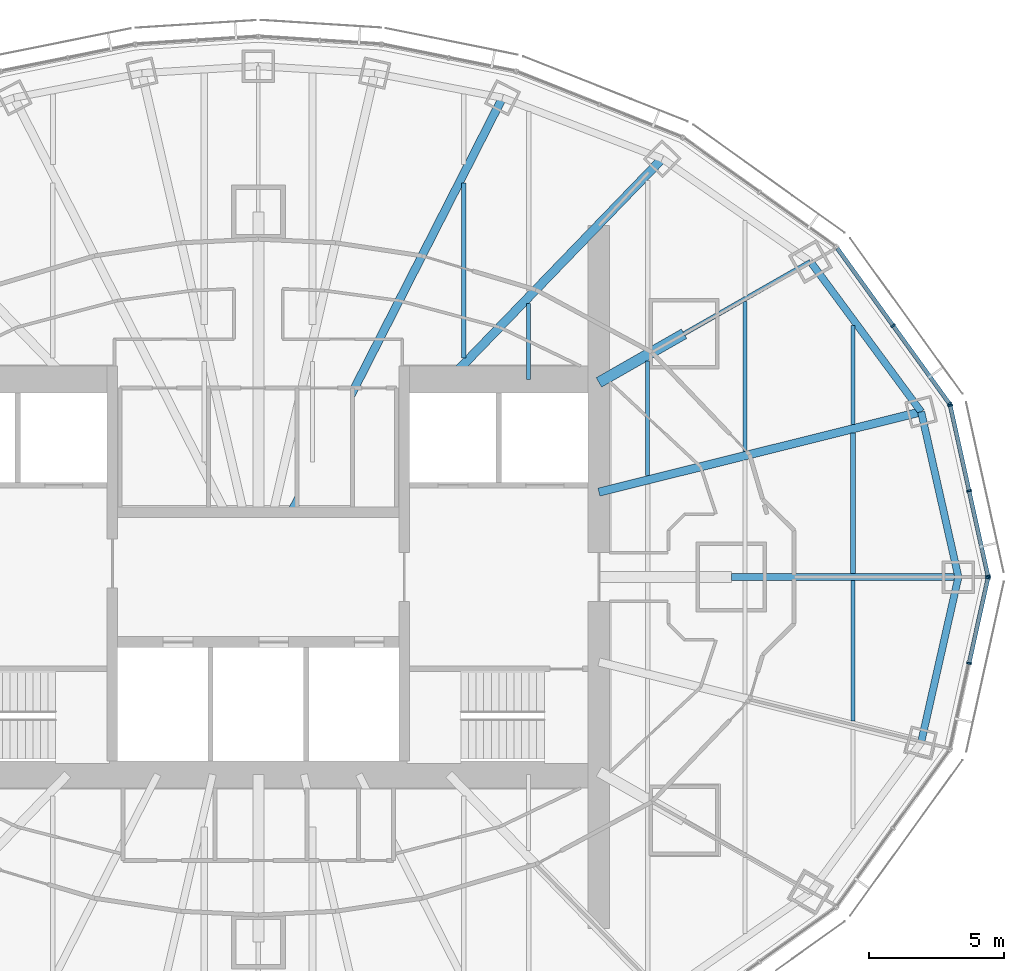
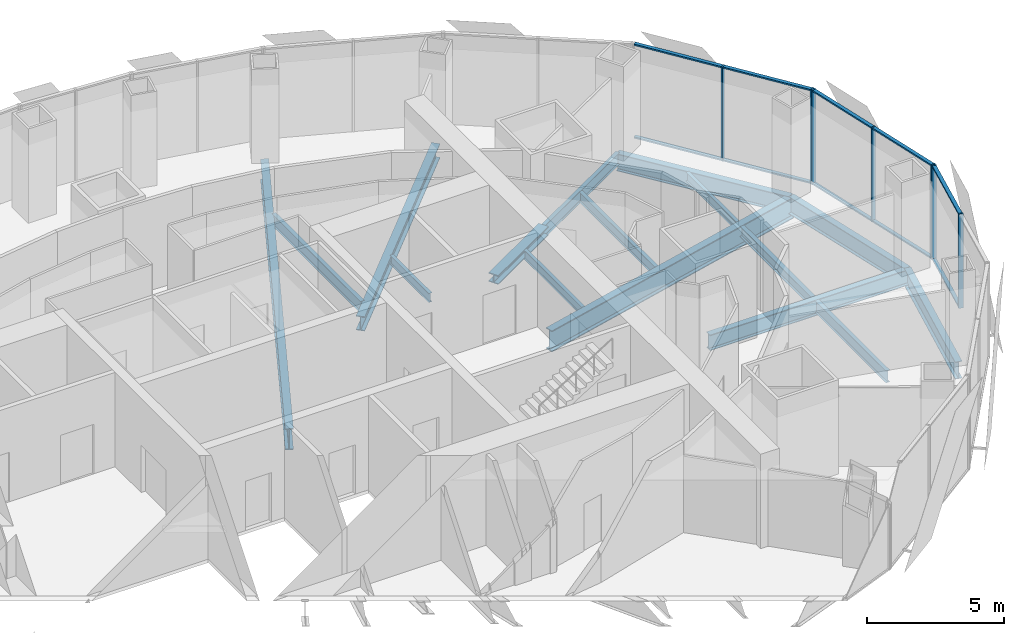
# One storey, part 7 of 17: 17 members, 16 beams, 3 elements without a shape of their own.
"""IFC4 building model written with IfcOpenShell, lengths in metres."""

from ifc_helpers import new_model, si_unit, direction, frame, origin, origin_2d, place, context, subcontext, project, spatial, rectangle, i_section, extrude, material, material_profile, profile_set, type_object, element, aggregate, save


model = new_model("IFC4")

# Units and contexts
model_context = context("Model", 3, precision=1e-05, world=origin(), true_north=direction((0.0, 1.0)))
body_context = subcontext(model_context, "Body", "Model", "MODEL_VIEW")
ifc_project = project(units=[si_unit("LENGTHUNIT", "METRE"), si_unit("AREAUNIT", "SQUARE_METRE"), si_unit("VOLUMEUNIT", "CUBIC_METRE"), si_unit("PLANEANGLEUNIT", "RADIAN"), si_unit("MASSUNIT", "GRAM", prefix="KILO")], contexts=[model_context])

# Site, building, storey
site_placement = place(None, origin())
site = spatial("IfcSite", under=ifc_project, at=site_placement, CompositionType="ELEMENT")
building_placement = place(site_placement, origin())
building = spatial("IfcBuilding", under=site, at=building_placement, Name="Lantaw Convention Tower", CompositionType="ELEMENT")
storey_placement = place(building_placement, frame((0.0, 0.0, 207.39990234375)))
storey = spatial("IfcBuildingStorey", under=building, at=storey_placement, Name="L48", CompositionType="ELEMENT", Elevation=207.39990234375)

# Beams
ifc_material_1 = material(Name="Steel ASTM A992", Category="steel")
ifc_material_profile_1 = material_profile(ifc_material_1, i_section(OverallWidth=0.2666015625, OverallDepth=0.76953125, WebThickness=0.015625, FlangeThickness=0.025390625, FilletRadius=0.0126953125, at=origin_2d()), Name="W30X132")
ifc_profile_set_1 = profile_set([ifc_material_profile_1], Name="Steel ASTM A992")
beam_type_1 = type_object("IfcBeamType", Name="Beam E W30X132", PredefinedType="SPANDREL", material=ifc_profile_set_1)
beam_1_placement = place(storey_placement, frame((25.89990234375, 0.0, -0.53466796875), z_axis=(-0.219857926596, 0.97553190215, 0.0), x_axis=(-0.97553190215, -0.219857926596, 0.0)))
element("IfcBeam", 1, at=beam_1_placement, inside=storey, type_object=beam_type_1, Name="Edge beam 1", PredefinedType="SPANDREL", context=body_context, shape_type="SweptSolid", body=[
    extrude(i_section(OverallWidth=0.2666015625, OverallDepth=0.76953125, WebThickness=0.015625, FlangeThickness=0.025390625, FilletRadius=0.0126953125, at=origin_2d()), origin(), (0.0, 0.0, 1.0), 6.267333984375),
])
beam_2_placement = place(storey_placement, frame((24.52197265625, 6.114013671875, -0.53466796875), z_axis=(-0.593639188853, 0.804731329984, 0.0), x_axis=(-0.804731329984, -0.593639188853, 0.0)))
element("IfcBeam", 2, at=beam_2_placement, inside=storey, type_object=beam_type_1, Name="Edge beam 2", PredefinedType="SPANDREL", context=body_context, shape_type="SweptSolid", body=[
    extrude(i_section(OverallWidth=0.2666015625, OverallDepth=0.76953125, WebThickness=0.015625, FlangeThickness=0.025390625, FilletRadius=0.0126953125, at=origin_2d()), origin(), (0.0, 0.0, 1.0), 6.904541015625),
])
beam_3_placement = place(storey_placement, frame((24.52197265625, -6.114013671875, -0.53466796875), z_axis=(0.219857926596, 0.97553190215, 0.0), x_axis=(-0.97553190215, 0.219857926596, 0.0)))
element("IfcBeam", 3, at=beam_3_placement, inside=storey, type_object=beam_type_1, Name="Edge beam 24", PredefinedType="SPANDREL", context=body_context, shape_type="SweptSolid", body=[
    extrude(i_section(OverallWidth=0.2666015625, OverallDepth=0.76953125, WebThickness=0.015625, FlangeThickness=0.025390625, FilletRadius=0.0126953125, at=origin_2d()), origin(), (0.0, 0.0, 1.0), 6.267333984375),
])
ifc_material_profile_2 = material_profile(ifc_material_1, i_section(OverallWidth=0.1650390625, OverallDepth=0.52587890625, WebThickness=0.0087890625, FlangeThickness=0.011474609375, FilletRadius=0.0126953125, at=origin_2d()), Name="W21X44")
ifc_profile_set_2 = profile_set([ifc_material_profile_2], Name="Steel ASTM A992")
beam_type_2 = type_object("IfcBeamType", Name="Beam G W21X44", PredefinedType="BEAM", material=ifc_profile_set_2)
beam_4_placement = place(storey_placement, frame((15.75, 9.0, -0.412841796875), z_axis=(0.868237559289, 0.496148708192, 0.0), x_axis=(-0.496148708192, 0.868237559289, 0.0)))
element("IfcBeam", 4, at=beam_4_placement, inside=storey, type_object=beam_type_2, Name="Floor girder on ray 3", PredefinedType="BEAM", context=body_context, shape_type="SweptSolid", body=[
    extrude(i_section(OverallWidth=0.1650390625, OverallDepth=0.52587890625, WebThickness=0.0087890625, FlangeThickness=0.011474609375, FilletRadius=0.0126953125, at=origin_2d()), origin(), (0.0, 0.0, 1.0), 5.38232421875),
])
ifc_material_profile_3 = material_profile(ifc_material_1, i_section(OverallWidth=0.32763671875, OverallDepth=0.64013671875, WebThickness=0.01904296875, FlangeThickness=0.033935546875, FilletRadius=0.0126953125, at=origin_2d()), Name="W24X176")
ifc_profile_set_3 = profile_set([ifc_material_profile_3], Name="Steel ASTM A992")
beam_type_3 = type_object("IfcBeamType", Name="Beam G W24X176", PredefinedType="BEAM", material=ifc_profile_set_3)
beam_5_placement = place(storey_placement, frame((7.049560546875, 7.300048828125, -0.469970703125), z_axis=(0.694657766726, 0.719340383356, 0.0), x_axis=(-0.719340383356, 0.694657766726, 0.0)))
element("IfcBeam", 5, at=beam_5_placement, inside=storey, type_object=beam_type_3, Name="Floor girder on ray 4", PredefinedType="BEAM", context=body_context, shape_type="SweptSolid", body=[
    extrude(i_section(OverallWidth=0.32763671875, OverallDepth=0.64013671875, WebThickness=0.01904296875, FlangeThickness=0.033935546875, FilletRadius=0.0126953125, at=origin_2d()), origin(), (0.0, 0.0, 1.0), 11.364990234375),
])
ifc_material_profile_4 = material_profile(ifc_material_1, i_section(OverallWidth=0.25390625, OverallDepth=0.700927734375, WebThickness=0.015380859375, FlangeThickness=0.02783203125, FilletRadius=0.01513671875, at=origin_2d()), Name="W27X129")
ifc_profile_set_4 = profile_set([ifc_material_profile_4], Name="Steel ASTM A992")
beam_type_4 = type_object("IfcBeamType", Name="Beam G W27X129", PredefinedType="BEAM", material=ifc_profile_set_4)
beam_6_placement = place(storey_placement, frame((17.5, 0.0, -0.50048828125), z_axis=(1.0, 0.0, 0.0), x_axis=(0.0, 1.0, 0.0)))
element("IfcBeam", 6, at=beam_6_placement, inside=storey, type_object=beam_type_4, Name="Floor girder on ray 1", PredefinedType="BEAM", context=body_context, shape_type="SweptSolid", body=[
    extrude(i_section(OverallWidth=0.25390625, OverallDepth=0.700927734375, WebThickness=0.015380859375, FlangeThickness=0.02783203125, FilletRadius=0.01513671875, at=origin_2d()), origin(), (0.0, 0.0, 1.0), 8.39990234375),
])
ifc_material_profile_5 = material_profile(ifc_material_1, i_section(OverallWidth=0.307373046875, OverallDepth=0.9423828125, WebThickness=0.022216796875, FlangeThickness=0.039794921875, FilletRadius=0.0126953125, at=origin_2d()), Name="W36X232")
ifc_profile_set_5 = profile_set([ifc_material_profile_5], Name="Steel ASTM A992")
beam_type_5 = type_object("IfcBeamType", Name="Beam G W36X232", PredefinedType="BEAM", material=ifc_profile_set_5)
beam_7_placement = place(storey_placement, frame((12.60009765625, 3.1416015625, -0.62109375), z_axis=(0.970296589314, 0.241918434119, 0.0), x_axis=(-0.241918434119, 0.970296589314, 0.0)))
element("IfcBeam", 7, at=beam_7_placement, inside=storey, type_object=beam_type_5, Name="Floor girder on ray 2", PredefinedType="BEAM", context=body_context, shape_type="SweptSolid", body=[
    extrude(i_section(OverallWidth=0.307373046875, OverallDepth=0.9423828125, WebThickness=0.022216796875, FlangeThickness=0.039794921875, FilletRadius=0.0126953125, at=origin_2d()), origin(), (0.0, 0.0, 1.0), 12.286865234375),
])
beam_8_placement = place(storey_placement, frame((1.222900390625, 2.39990234375, -0.62109375), z_axis=(0.453988481463, 0.891007552549, 0.0), x_axis=(-0.891007552549, 0.453988481463, 0.0)))
element("IfcBeam", 8, at=beam_8_placement, inside=storey, type_object=beam_type_5, Name="Floor girder on ray 5", PredefinedType="BEAM", context=body_context, shape_type="SweptSolid", body=[
    extrude(i_section(OverallWidth=0.307373046875, OverallDepth=0.9423828125, WebThickness=0.022216796875, FlangeThickness=0.039794921875, FilletRadius=0.0126953125, at=origin_2d()), origin(), (0.0, 0.0, 1.0), 17.20703125),
])
ifc_material_profile_6 = material_profile(ifc_material_1, i_section(OverallWidth=0.40380859375, OverallDepth=0.406494140625, WebThickness=0.027099609375, FlangeThickness=0.043701171875, FilletRadius=0.01513671875, at=origin_2d()), Name="W14X233")
ifc_profile_set_6 = profile_set([ifc_material_profile_6], Name="Steel ASTM A992")
beam_type_6 = type_object("IfcBeamType", Name="Beam GM W14X233", PredefinedType="BEAM", material=ifc_profile_set_6)
beam_9_placement = place(storey_placement, frame((12.60009765625, 7.199951171875, -0.35302734375), z_axis=(0.868230718294, 0.496160679428, 0.0), x_axis=(-0.496160679428, 0.868230718294, 0.0)))
element("IfcBeam", 9, at=beam_9_placement, inside=storey, type_object=beam_type_6, Name="Core link beam on ray 3", PredefinedType="BEAM", context=body_context, shape_type="SweptSolid", body=[
    extrude(i_section(OverallWidth=0.40380859375, OverallDepth=0.406494140625, WebThickness=0.027099609375, FlangeThickness=0.043701171875, FilletRadius=0.01513671875, at=origin_2d()), origin(), (0.0, 0.0, 1.0), 3.6279296875),
])
ifc_material_profile_7 = material_profile(ifc_material_1, i_section(OverallWidth=0.140380859375, OverallDepth=0.40380859375, WebThickness=0.007080078125, FlangeThickness=0.01123046875, FilletRadius=0.01025390625, at=origin_2d()), Name="W16X31")
ifc_profile_set_7 = profile_set([ifc_material_profile_7], Name="Steel ASTM A992")
beam_type_7 = type_object("IfcBeamType", Name="Beam J W16X31", PredefinedType="JOIST", material=ifc_profile_set_7)
beam_10_placement = place(storey_placement, frame((10.0, 7.300048828125, -0.351806640625), z_axis=(0.0, 1.0, 0.0), x_axis=(-1.0, 0.0, 0.0)))
element("IfcBeam", 10, at=beam_10_placement, inside=storey, type_object=beam_type_7, Name="Floor joist", PredefinedType="JOIST", context=body_context, shape_type="SweptSolid", body=[
    extrude(i_section(OverallWidth=0.140380859375, OverallDepth=0.40380859375, WebThickness=0.007080078125, FlangeThickness=0.01123046875, FilletRadius=0.01025390625, at=origin_2d()), origin(), (0.0, 0.0, 1.0), 2.8193359375),
])
beam_11_placement = place(storey_placement, frame((14.39990234375, 3.748779296875, -0.351806640625), z_axis=(0.0, 1.0, 0.0), x_axis=(-1.0, 0.0, 0.0)))
element("IfcBeam", 11, at=beam_11_placement, inside=storey, type_object=beam_type_7, Name="Floor joist", PredefinedType="JOIST", context=body_context, shape_type="SweptSolid", body=[
    extrude(i_section(OverallWidth=0.140380859375, OverallDepth=0.40380859375, WebThickness=0.007080078125, FlangeThickness=0.01123046875, FilletRadius=0.01025390625, at=origin_2d()), origin(), (0.0, 0.0, 1.0), 4.247314453125),
])
beam_12_placement = place(storey_placement, frame((22.0, 5.6435546875, -0.351806640625), z_axis=(0.0, 1.0, 0.0), x_axis=(-1.0, 0.0, 0.0)))
element("IfcBeam", 12, at=beam_12_placement, inside=storey, type_object=beam_type_7, Name="Floor joist", PredefinedType="JOIST", context=body_context, shape_type="SweptSolid", body=[
    extrude(i_section(OverallWidth=0.140380859375, OverallDepth=0.40380859375, WebThickness=0.007080078125, FlangeThickness=0.01123046875, FilletRadius=0.01025390625, at=origin_2d()), origin(), (0.0, 0.0, 1.0), 3.66455078125),
])
ifc_material_profile_8 = material_profile(ifc_material_1, i_section(OverallWidth=0.15234375, OverallDepth=0.449462890625, WebThickness=0.007568359375, FlangeThickness=0.0107421875, FilletRadius=0.01025390625, at=origin_2d()), Name="W18X35")
ifc_profile_set_8 = profile_set([ifc_material_profile_8], Name="Steel ASTM A992")
beam_type_8 = type_object("IfcBeamType", Name="Beam J W18X35", PredefinedType="JOIST", material=ifc_profile_set_8)
beam_13_placement = place(storey_placement, frame((18.0, 4.646240234375, -0.374755859375), z_axis=(0.0, 1.0, 0.0), x_axis=(-1.0, 0.0, 0.0)))
element("IfcBeam", 13, at=beam_13_placement, inside=storey, type_object=beam_type_8, Name="Floor joist", PredefinedType="JOIST", context=body_context, shape_type="SweptSolid", body=[
    extrude(i_section(OverallWidth=0.15234375, OverallDepth=0.449462890625, WebThickness=0.007568359375, FlangeThickness=0.0107421875, FilletRadius=0.01025390625, at=origin_2d()), origin(), (0.0, 0.0, 1.0), 5.54443359375),
])
ifc_material_profile_9 = material_profile(ifc_material_1, i_section(OverallWidth=0.1904296875, OverallDepth=0.457275390625, WebThickness=0.009033203125, FlangeThickness=0.014404296875, FilletRadius=0.01025390625, at=origin_2d()), Name="W18X50")
ifc_profile_set_9 = profile_set([ifc_material_profile_9], Name="Steel ASTM A992")
beam_type_9 = type_object("IfcBeamType", Name="Beam J W18X50", PredefinedType="JOIST", material=ifc_profile_set_9)
beam_14_placement = place(storey_placement, frame((22.0, 0.126953125, -0.37841796875), z_axis=(0.0, 1.0, 0.0), x_axis=(-1.0, 0.0, 0.0)))
element("IfcBeam", 14, at=beam_14_placement, inside=storey, type_object=beam_type_9, Name="Floor joist", PredefinedType="JOIST", context=body_context, shape_type="SweptSolid", body=[
    extrude(i_section(OverallWidth=0.1904296875, OverallDepth=0.457275390625, WebThickness=0.009033203125, FlangeThickness=0.014404296875, FilletRadius=0.01025390625, at=origin_2d()), origin(), (0.0, 0.0, 1.0), 5.199951171875),
])
ifc_material_profile_10 = material_profile(ifc_material_1, i_section(OverallWidth=0.1650390625, OverallDepth=0.52587890625, WebThickness=0.0087890625, FlangeThickness=0.011474609375, FilletRadius=0.0126953125, at=origin_2d()), Name="W21X44")
ifc_profile_set_10 = profile_set([ifc_material_profile_10], Name="Steel ASTM A992")
beam_type_10 = type_object("IfcBeamType", Name="Beam J W21X44", PredefinedType="JOIST", material=ifc_profile_set_10)
beam_15_placement = place(storey_placement, frame((7.60009765625, 8.10595703125, -0.412841796875), z_axis=(0.0, 1.0, 0.0), x_axis=(-1.0, 0.0, 0.0)))
element("IfcBeam", 15, at=beam_15_placement, inside=storey, type_object=beam_type_10, Name="Floor joist", PredefinedType="JOIST", context=body_context, shape_type="SweptSolid", body=[
    extrude(i_section(OverallWidth=0.1650390625, OverallDepth=0.52587890625, WebThickness=0.0087890625, FlangeThickness=0.011474609375, FilletRadius=0.0126953125, at=origin_2d()), origin(), (0.0, 0.0, 1.0), 6.471435546875),
])
beam_16_placement = place(storey_placement, frame((22.0, -5.326904296875, -0.412841796875), z_axis=(0.0, 1.0, 0.0), x_axis=(-1.0, 0.0, 0.0)))
element("IfcBeam", 16, at=beam_16_placement, inside=storey, type_object=beam_type_10, Name="Floor joist", PredefinedType="JOIST", context=body_context, shape_type="SweptSolid", body=[
    extrude(i_section(OverallWidth=0.1650390625, OverallDepth=0.52587890625, WebThickness=0.0087890625, FlangeThickness=0.011474609375, FilletRadius=0.0126953125, at=origin_2d()), origin(), (0.0, 0.0, 1.0), 5.199951171875),
])

# Curtain wall, members
ifc_material_2 = material(Name="Aluminium framed curtain wall", Category="aluminium")
curtain_wall_type = type_object("IfcCurtainWallType", Name="Office curtain wall high rise, pale aluminium", PredefinedType="USERDEFINED", material=ifc_material_2)
curtain_wall_1_placement = place(storey_placement, origin())
curtain_wall_1 = element("IfcCurtainWall", 17, at=curtain_wall_1_placement, inside=storey, type_object=curtain_wall_type, Name="Office curtain wall high rise, pale aluminium L48", ObjectType="UNITISED CURTAIN WALL", PredefinedType="USERDEFINED")
ifc_material_3 = material(Name="Aluminium 6063-T6", Category="aluminium")
ifc_material_profile_11 = material_profile(ifc_material_3, rectangle(XDim=0.179931640625, YDim=0.06494140625, at=origin_2d()), Name="CW-O2 mullion 65x180")
ifc_profile_set_11 = profile_set([ifc_material_profile_11], Name="Aluminium 6063-T6")
member_type_1 = type_object("IfcMemberType", Name="CW-O2 mullion 65x180", PredefinedType="MULLION", material=ifc_profile_set_11)
member_1_placement = place(storey_placement, frame((26.992919921875, 0.03173828125, -0.14990234375), z_axis=(0.0, 0.0, 1.0), x_axis=(-0.976417396437, -0.215891333626, 0.0)))
member_1 = element("IfcMember", 18, at=member_1_placement, type_object=member_type_1, Name="CW-O2 mullion 1", PredefinedType="MULLION", context=body_context, shape_type="SweptSolid", body=[
    extrude(rectangle(XDim=0.179931640625, YDim=0.06494140625, at=origin_2d()), origin(), (0.0, 0.0, 1.0), 4.199951171875),
])
member_2_placement = place(storey_placement, frame((26.294677734375, 3.190185546875, -0.14990234375), z_axis=(0.0, 0.0, 1.0), x_axis=(-0.976417396437, -0.215891333626, 0.0)))
member_2 = element("IfcMember", 19, at=member_2_placement, type_object=member_type_1, Name="CW-O2 mullion 2", PredefinedType="MULLION", context=body_context, shape_type="SweptSolid", body=[
    extrude(rectangle(XDim=0.179931640625, YDim=0.06494140625, at=origin_2d()), origin(), (0.0, 0.0, 1.0), 4.199951171875),
])
member_3_placement = place(storey_placement, frame((25.596435546875, 6.348388671875, -0.14990234375), z_axis=(0.0, 0.0, 1.0), x_axis=(-0.976417396437, -0.215891333626, 0.0)))
member_3 = element("IfcMember", 20, at=member_3_placement, type_object=member_type_1, Name="CW-O2 mullion 3", PredefinedType="MULLION", context=body_context, shape_type="SweptSolid", body=[
    extrude(rectangle(XDim=0.179931640625, YDim=0.06494140625, at=origin_2d()), origin(), (0.0, 0.0, 1.0), 4.199951171875),
])

curtain_wall_2_placement = place(storey_placement, origin())
curtain_wall_2 = element("IfcCurtainWall", 21, at=curtain_wall_2_placement, inside=storey, type_object=curtain_wall_type, Name="Office curtain wall high rise, pale aluminium L48", ObjectType="UNITISED CURTAIN WALL", PredefinedType="USERDEFINED")
member_4_placement = place(storey_placement, frame((25.5703125, 6.406494140625, -0.14990234375), z_axis=(0.0, 0.0, 1.0), x_axis=(-0.810919559405, -0.585157643865, 0.0)))
member_4 = element("IfcMember", 22, at=member_4_placement, type_object=member_type_1, Name="CW-O2 mullion 1", PredefinedType="MULLION", context=body_context, shape_type="SweptSolid", body=[
    extrude(rectangle(XDim=0.179931640625, YDim=0.06494140625, at=origin_2d()), origin(), (0.0, 0.0, 1.0), 4.199951171875),
])
member_5_placement = place(storey_placement, frame((23.483642578125, 9.298095703125, -0.14990234375), z_axis=(0.0, 0.0, 1.0), x_axis=(-0.810919559405, -0.585157643865, 0.0)))
member_5 = element("IfcMember", 23, at=member_5_placement, type_object=member_type_1, Name="CW-O2 mullion 2", PredefinedType="MULLION", context=body_context, shape_type="SweptSolid", body=[
    extrude(rectangle(XDim=0.179931640625, YDim=0.06494140625, at=origin_2d()), origin(), (0.0, 0.0, 1.0), 4.199951171875),
])

curtain_wall_3_placement = place(storey_placement, origin())
curtain_wall_3 = element("IfcCurtainWall", 24, at=curtain_wall_3_placement, inside=storey, type_object=curtain_wall_type, Name="Office curtain wall high rise, pale aluminium L48", ObjectType="UNITISED CURTAIN WALL", PredefinedType="USERDEFINED")
member_6_placement = place(storey_placement, frame((26.294677734375, -3.190185546875, -0.14990234375), z_axis=(0.0, 0.0, 1.0), x_axis=(-0.976417396437, 0.215891333626, 0.0)))
member_6 = element("IfcMember", 25, at=member_6_placement, type_object=member_type_1, Name="CW-O2 mullion 2", PredefinedType="MULLION", context=body_context, shape_type="SweptSolid", body=[
    extrude(rectangle(XDim=0.179931640625, YDim=0.06494140625, at=origin_2d()), origin(), (0.0, 0.0, 1.0), 4.199951171875),
])
member_7_placement = place(storey_placement, frame((26.992919921875, -0.03173828125, -0.14990234375), z_axis=(0.0, 0.0, 1.0), x_axis=(-0.976417396437, 0.215891333626, 0.0)))
member_7 = element("IfcMember", 26, at=member_7_placement, type_object=member_type_1, Name="CW-O2 mullion 3", PredefinedType="MULLION", context=body_context, shape_type="SweptSolid", body=[
    extrude(rectangle(XDim=0.179931640625, YDim=0.06494140625, at=origin_2d()), origin(), (0.0, 0.0, 1.0), 4.199951171875),
])

# Member
ifc_material_profile_12 = material_profile(ifc_material_3, rectangle(XDim=0.14990234375, YDim=0.06494140625, at=origin_2d()), Name="CW-O2 transom 65x150")
ifc_profile_set_12 = profile_set([ifc_material_profile_12], Name="Aluminium 6063-T6")
member_type_2 = type_object("IfcMemberType", Name="CW-O2 transom 65x150", PredefinedType="USERDEFINED", material=ifc_profile_set_12)
member_8_placement = place(storey_placement, frame((26.986083984375, 0.0634765625, -0.117431640625), z_axis=(-0.215894607042, 0.976416672661, 0.0), x_axis=(-0.976416672661, -0.215894607042, 0.0)))
member_8 = element("IfcMember", 27, at=member_8_placement, type_object=member_type_2, Name="CW-O2 transom 1.1", ObjectType="TRANSOM", PredefinedType="USERDEFINED", context=body_context, shape_type="SweptSolid", body=[
    extrude(rectangle(XDim=0.14990234375, YDim=0.06494140625, at=origin_2d()), origin(), (0.0, 0.0, 1.0), 3.169677734375),
])

member_9_placement = place(storey_placement, frame((26.986083984375, 0.0634765625, 4.017578125), z_axis=(-0.215894607042, 0.976416672661, 0.0), x_axis=(-0.976416672661, -0.215894607042, 0.0)))
member_9 = element("IfcMember", 28, at=member_9_placement, type_object=member_type_2, Name="CW-O2 transom 1.2", ObjectType="TRANSOM", PredefinedType="USERDEFINED", context=body_context, shape_type="SweptSolid", body=[
    extrude(rectangle(XDim=0.14990234375, YDim=0.06494140625, at=origin_2d()), origin(), (0.0, 0.0, 1.0), 3.169677734375),
])

member_10_placement = place(storey_placement, frame((26.28759765625, 3.2216796875, -0.117431640625), z_axis=(-0.215894607042, 0.976416672661, 0.0), x_axis=(-0.976416672661, -0.215894607042, 0.0)))
member_10 = element("IfcMember", 29, at=member_10_placement, type_object=member_type_2, Name="CW-O2 transom 2.1", ObjectType="TRANSOM", PredefinedType="USERDEFINED", context=body_context, shape_type="SweptSolid", body=[
    extrude(rectangle(XDim=0.14990234375, YDim=0.06494140625, at=origin_2d()), origin(), (0.0, 0.0, 1.0), 3.169677734375),
])

member_11_placement = place(storey_placement, frame((26.28759765625, 3.2216796875, 4.017578125), z_axis=(-0.215894607042, 0.976416672661, 0.0), x_axis=(-0.976416672661, -0.215894607042, 0.0)))
member_11 = element("IfcMember", 30, at=member_11_placement, type_object=member_type_2, Name="CW-O2 transom 2.2", ObjectType="TRANSOM", PredefinedType="USERDEFINED", context=body_context, shape_type="SweptSolid", body=[
    extrude(rectangle(XDim=0.14990234375, YDim=0.06494140625, at=origin_2d()), origin(), (0.0, 0.0, 1.0), 3.169677734375),
])

aggregate(curtain_wall_1, [member_1, member_2, member_3, member_8, member_9, member_10, member_11])

member_12_placement = place(storey_placement, frame((25.55126953125, 6.432861328125, -0.117431640625), z_axis=(-0.585169685931, 0.810910869743, 0.0), x_axis=(-0.810910869743, -0.585169685931, 0.0)))
member_12 = element("IfcMember", 31, at=member_12_placement, type_object=member_type_2, Name="CW-O2 transom 1.1", ObjectType="TRANSOM", PredefinedType="USERDEFINED", context=body_context, shape_type="SweptSolid", body=[
    extrude(rectangle(XDim=0.14990234375, YDim=0.06494140625, at=origin_2d()), origin(), (0.0, 0.0, 1.0), 3.500732421875),
])

member_13_placement = place(storey_placement, frame((25.55126953125, 6.432861328125, 4.017578125), z_axis=(-0.585169685931, 0.810910869743, 0.0), x_axis=(-0.810910869743, -0.585169685931, 0.0)))
member_13 = element("IfcMember", 32, at=member_13_placement, type_object=member_type_2, Name="CW-O2 transom 1.2", ObjectType="TRANSOM", PredefinedType="USERDEFINED", context=body_context, shape_type="SweptSolid", body=[
    extrude(rectangle(XDim=0.14990234375, YDim=0.06494140625, at=origin_2d()), origin(), (0.0, 0.0, 1.0), 3.500732421875),
])

member_14_placement = place(storey_placement, frame((23.464599609375, 9.324462890625, -0.117431640625), z_axis=(-0.585123825205, 0.810943961798, 0.0), x_axis=(-0.810943961798, -0.585123825205, 0.0)))
member_14 = element("IfcMember", 33, at=member_14_placement, type_object=member_type_2, Name="CW-O2 transom 2.1", ObjectType="TRANSOM", PredefinedType="USERDEFINED", context=body_context, shape_type="SweptSolid", body=[
    extrude(rectangle(XDim=0.14990234375, YDim=0.06494140625, at=origin_2d()), origin(), (0.0, 0.0, 1.0), 3.500732421875),
])

member_15_placement = place(storey_placement, frame((23.464599609375, 9.324462890625, 4.017578125), z_axis=(-0.585123825205, 0.810943961798, 0.0), x_axis=(-0.810943961798, -0.585123825205, 0.0)))
member_15 = element("IfcMember", 34, at=member_15_placement, type_object=member_type_2, Name="CW-O2 transom 2.2", ObjectType="TRANSOM", PredefinedType="USERDEFINED", context=body_context, shape_type="SweptSolid", body=[
    extrude(rectangle(XDim=0.14990234375, YDim=0.06494140625, at=origin_2d()), origin(), (0.0, 0.0, 1.0), 3.500732421875),
])

aggregate(curtain_wall_2, [member_4, member_5, member_12, member_13, member_14, member_15])

member_16_placement = place(storey_placement, frame((26.3017578125, -3.158447265625, -0.117431640625), z_axis=(0.215894607042, 0.976416672661, 0.0), x_axis=(-0.976416672661, 0.215894607042, 0.0)))
member_16 = element("IfcMember", 35, at=member_16_placement, type_object=member_type_2, Name="CW-O2 transom 2.1", ObjectType="TRANSOM", PredefinedType="USERDEFINED", context=body_context, shape_type="SweptSolid", body=[
    extrude(rectangle(XDim=0.14990234375, YDim=0.06494140625, at=origin_2d()), origin(), (0.0, 0.0, 1.0), 3.169677734375),
])

member_17_placement = place(storey_placement, frame((26.3017578125, -3.158447265625, 4.017578125), z_axis=(0.215894607042, 0.976416672661, 0.0), x_axis=(-0.976416672661, 0.215894607042, 0.0)))
member_17 = element("IfcMember", 36, at=member_17_placement, type_object=member_type_2, Name="CW-O2 transom 2.2", ObjectType="TRANSOM", PredefinedType="USERDEFINED", context=body_context, shape_type="SweptSolid", body=[
    extrude(rectangle(XDim=0.14990234375, YDim=0.06494140625, at=origin_2d()), origin(), (0.0, 0.0, 1.0), 3.169677734375),
])

aggregate(curtain_wall_3, [member_6, member_7, member_16, member_17])

save(model, "model.ifc")
